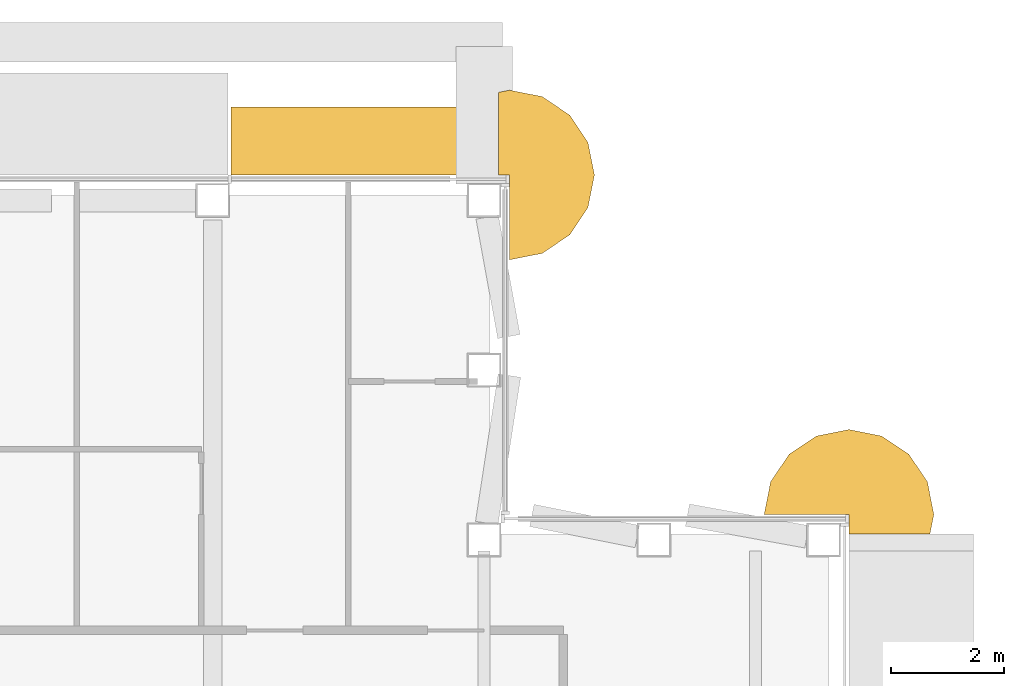
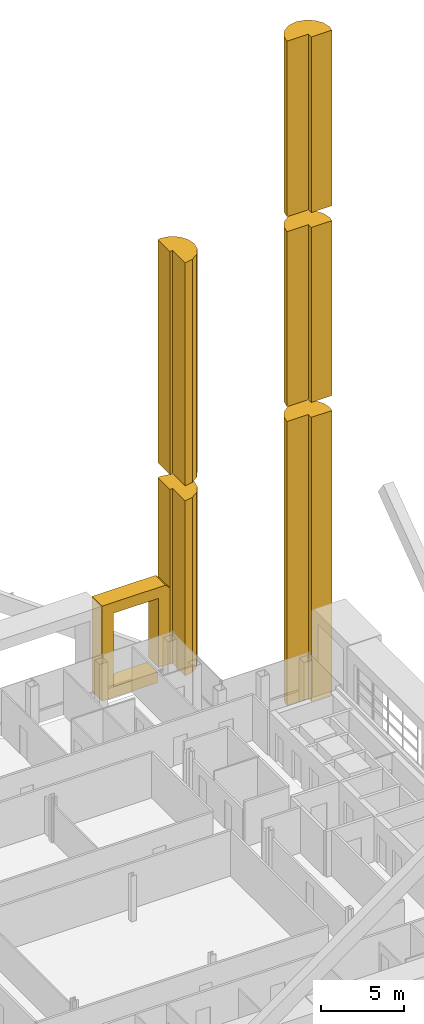
# One storey, part 28 of 29: 6 coverings.
"""IFC4 building model written with IfcOpenShell, lengths in metres."""

from ifc_helpers import new_model, si_unit, direction, frame, origin, place, context, subcontext, project, spatial, polyline, outline, extrude, material, type_object, element, save


model = new_model("IFC4")

# Units and contexts
model_context = context("Model", 3, precision=1e-05, world=origin(), true_north=direction((0.0, 1.0)))
body_context = subcontext(model_context, "Body", "Model", "MODEL_VIEW")
ifc_project = project(units=[si_unit("LENGTHUNIT", "METRE"), si_unit("AREAUNIT", "SQUARE_METRE"), si_unit("VOLUMEUNIT", "CUBIC_METRE"), si_unit("PLANEANGLEUNIT", "RADIAN"), si_unit("MASSUNIT", "GRAM", prefix="KILO")], contexts=[model_context])

# Site, building, storey
site_placement = place(None, origin())
site = spatial("IfcSite", under=ifc_project, at=site_placement, CompositionType="ELEMENT")
building_placement = place(site_placement, origin())
building = spatial("IfcBuilding", under=site, at=building_placement, Name="Cobrizo Arcos Hotel Tower", CompositionType="ELEMENT")
storey_placement = place(building_placement, frame((0.0, 0.0, 241.0)))
storey = spatial("IfcBuildingStorey", under=building, at=storey_placement, Name="L63", CompositionType="ELEMENT", Elevation=241.0)

# Coverings
ifc_material_1 = material(Name="Aluminium 6063-T6 anodised bronze", Category="aluminium")
covering_type_1 = type_object("IfcCoveringType", Name="FIN-F 1200", PredefinedType="CLADDING", material=ifc_material_1)
covering_1_placement = place(storey_placement, frame((14.64990234375, 20.85009765625, 0.0), z_axis=(0.0, 1.0, 0.0), x_axis=(-1.0, 0.0, 0.0)))
element("IfcCovering", 1, at=covering_1_placement, inside=storey, type_object=covering_type_1, Name="Fin frame 363", PredefinedType="CLADDING", context=body_context, shape_type="SweptSolid", body=[
    extrude(outline(polyline([(0.0, 6.699951171875), (0.0, 1.10205078125), (0.800048828125, 1.10205078125), (0.800048828125, 6.199951171875), (3.925048828125, 6.199951171875), (3.925048828125, 0.800048828125), (0.85205078125, 0.800048828125), (0.85205078125, 0.0), (4.72509765625, 0.0), (4.72509765625, 7.0), (0.300048828125, 7.0), (0.0, 6.699951171875)])), origin(), (0.0, 0.0, 1.0), 1.199951171875),
])
ifc_material_2 = material(Name="Aluminium 6063-T6 anodised pale", Category="aluminium")
covering_type_2 = type_object("IfcCoveringType", Name="RB-2 notch bullnose roll R1500", PredefinedType="CLADDING", material=ifc_material_2)
covering_2_placement = place(storey_placement, frame((0.0, 0.0, 1.050048828125)))
element("IfcCovering", 2, at=covering_2_placement, inside=storey, type_object=covering_type_2, Name="Notch bullnose roll 33", PredefinedType="CLADDING", context=body_context, shape_type="SweptSolid", body=[
    extrude(outline(polyline([(15.91064453125, 19.789306640625), (16.23583984375, 20.27587890625), (16.35009765625, 20.85009765625), (16.23583984375, 21.424072265625), (15.91064453125, 21.91064453125), (15.424072265625, 22.23583984375), (14.85009765625, 22.35009765625), (14.64990234375, 22.310302734375), (14.64990234375, 20.85009765625), (14.85009765625, 20.85009765625), (14.85009765625, 19.35009765625), (15.424072265625, 19.464111328125), (15.91064453125, 19.789306640625)])), origin(), (0.0, 0.0, 1.0), 12.89990234375),
])
covering_3_placement = place(storey_placement, frame((0.0, 0.0, 15.050048828125)))
element("IfcCovering", 3, at=covering_3_placement, inside=storey, type_object=covering_type_2, Name="Notch bullnose roll 33 part 2", PredefinedType="CLADDING", context=body_context, shape_type="SweptSolid", body=[
    extrude(outline(polyline([(15.91064453125, 19.789306640625), (16.23583984375, 20.27587890625), (16.35009765625, 20.85009765625), (16.23583984375, 21.424072265625), (15.91064453125, 21.91064453125), (15.424072265625, 22.23583984375), (14.85009765625, 22.35009765625), (14.64990234375, 22.310302734375), (14.64990234375, 20.85009765625), (14.85009765625, 20.85009765625), (14.85009765625, 19.35009765625), (15.424072265625, 19.464111328125), (15.91064453125, 19.789306640625)])), origin(), (0.0, 0.0, 1.0), 16.449951171875),
])
covering_4_placement = place(storey_placement, origin())
element("IfcCovering", 4, at=covering_4_placement, inside=storey, type_object=covering_type_2, Name="Notch bullnose roll 36", PredefinedType="CLADDING", context=body_context, shape_type="SweptSolid", body=[
    extrude(outline(polyline([(19.789306640625, 15.91064453125), (19.464111328125, 15.424072265625), (19.35009765625, 14.85009765625), (20.85009765625, 14.85009765625), (20.85009765625, 14.5), (22.280517578125, 14.5), (22.35009765625, 14.85009765625), (22.23583984375, 15.424072265625), (21.91064453125, 15.91064453125), (21.424072265625, 16.23583984375), (20.85009765625, 16.35009765625), (20.27587890625, 16.23583984375), (19.789306640625, 15.91064453125)])), origin(), (0.0, 0.0, 1.0), 20.949951171875),
])
covering_5_placement = place(storey_placement, frame((0.0, 0.0, 22.050048828125)))
element("IfcCovering", 5, at=covering_5_placement, inside=storey, type_object=covering_type_2, Name="Notch bullnose roll 36 part 2", PredefinedType="CLADDING", context=body_context, shape_type="SweptSolid", body=[
    extrude(outline(polyline([(19.789306640625, 15.91064453125), (19.464111328125, 15.424072265625), (19.35009765625, 14.85009765625), (20.85009765625, 14.85009765625), (20.85009765625, 14.5), (22.280517578125, 14.5), (22.35009765625, 14.85009765625), (22.23583984375, 15.424072265625), (21.91064453125, 15.91064453125), (21.424072265625, 16.23583984375), (20.85009765625, 16.35009765625), (20.27587890625, 16.23583984375), (19.789306640625, 15.91064453125)])), origin(), (0.0, 0.0, 1.0), 12.89990234375),
])
covering_6_placement = place(storey_placement, frame((0.0, 0.0, 36.050048828125)))
element("IfcCovering", 6, at=covering_6_placement, inside=storey, type_object=covering_type_2, Name="Notch bullnose roll 36 part 3", PredefinedType="CLADDING", context=body_context, shape_type="SweptSolid", body=[
    extrude(outline(polyline([(19.789306640625, 15.91064453125), (19.464111328125, 15.424072265625), (19.35009765625, 14.85009765625), (20.85009765625, 14.85009765625), (20.85009765625, 14.5), (22.280517578125, 14.5), (22.35009765625, 14.85009765625), (22.23583984375, 15.424072265625), (21.91064453125, 15.91064453125), (21.424072265625, 16.23583984375), (20.85009765625, 16.35009765625), (20.27587890625, 16.23583984375), (19.789306640625, 15.91064453125)])), origin(), (0.0, 0.0, 1.0), 12.949951171875),
])

save(model, "model.ifc")
